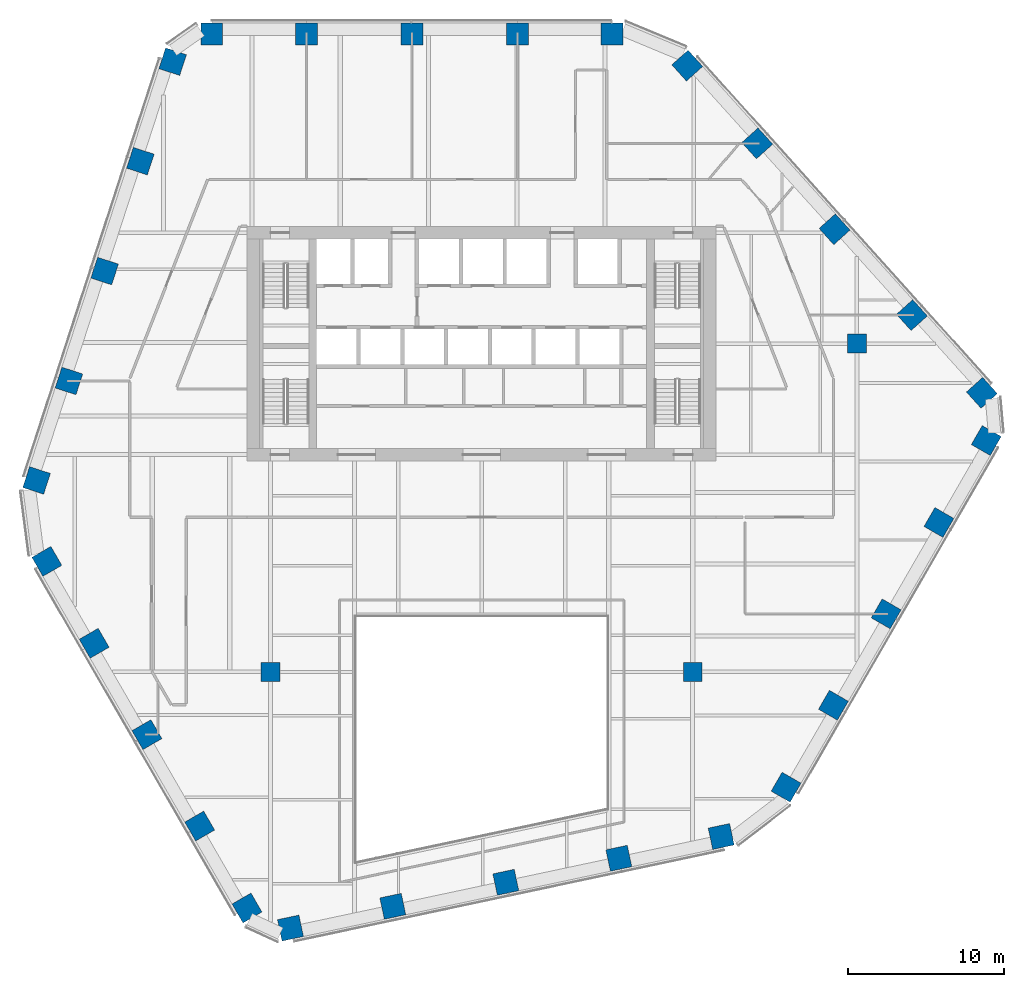
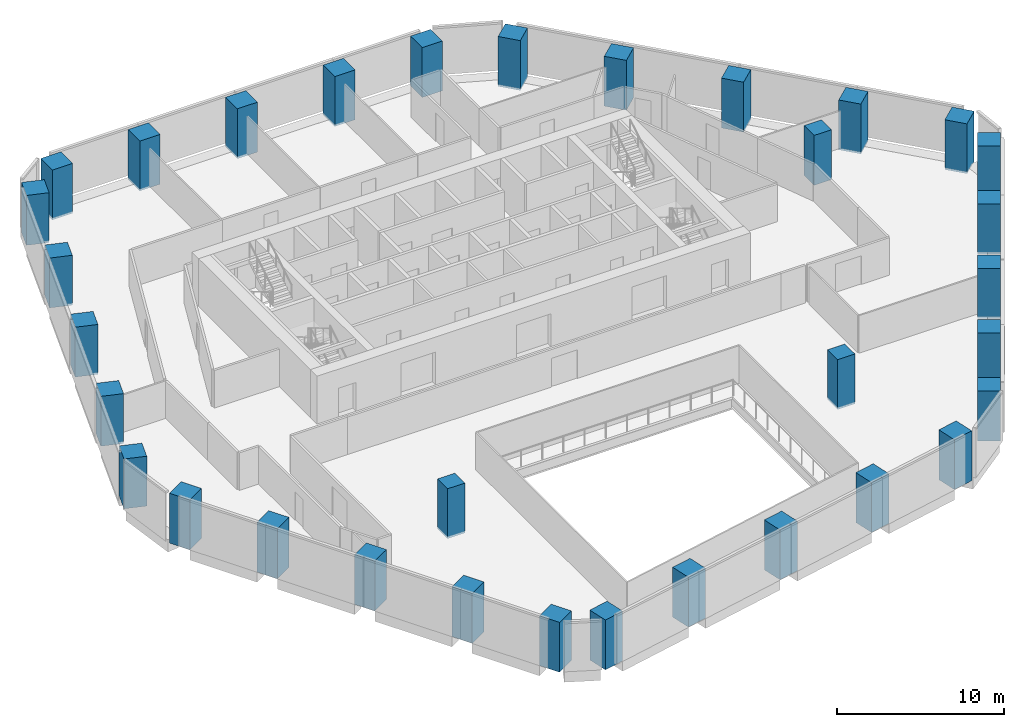
# One storey, part 1 of 16: 33 columns.
"""IFC4 building model written with IfcOpenShell, lengths in metres."""

from ifc_helpers import new_model, si_unit, direction, frame, origin, origin_2d, place, context, subcontext, project, spatial, rectangle, extrude, material, material_profile, profile_set, type_object, element, save


model = new_model("IFC4")

# Units and contexts
model_context = context("Model", 3, precision=1e-05, world=origin(), true_north=direction((0.0, 1.0)))
body_context = subcontext(model_context, "Body", "Model", "MODEL_VIEW")
ifc_project = project(units=[si_unit("LENGTHUNIT", "METRE"), si_unit("AREAUNIT", "SQUARE_METRE"), si_unit("VOLUMEUNIT", "CUBIC_METRE"), si_unit("PLANEANGLEUNIT", "RADIAN"), si_unit("MASSUNIT", "GRAM", prefix="KILO")], contexts=[model_context])

# Site, building, storey
site_placement = place(None, origin())
site = spatial("IfcSite", under=ifc_project, at=site_placement, CompositionType="ELEMENT")
building_placement = place(site_placement, origin())
building = spatial("IfcBuilding", under=site, at=building_placement, Name="Isthmus Gate Tower", CompositionType="ELEMENT")
storey_placement = place(building_placement, frame((0.0, 0.0, 133.449951171875)))
storey = spatial("IfcBuildingStorey", under=building, at=storey_placement, Name="L32", CompositionType="ELEMENT", Elevation=133.449951171875)

# Columns
ifc_material_1 = material(Name="Concrete f'c 60 MPa", Category="concrete")
ifc_material_profile_1 = material_profile(ifc_material_1, rectangle(XDim=1.199951171875, YDim=1.199951171875, at=origin_2d()), Name="RC 1200X1200")
ifc_profile_set_1 = profile_set([ifc_material_profile_1], Name="Concrete f'c 60 MPa")
column_type_1 = type_object("IfcColumnType", Name="RC INTERIOR COLUMN 1200 X 1200", PredefinedType="COLUMN", material=ifc_profile_set_1)
for number, where, z_axis, x_axis, name in (
    (1, (-13.5, -13.5, -0.14990234375), (0.0, 0.0, 1.0), (1.0, 0.0, 0.0), "str-icol-L32-ICB2"),
    (2, (13.5, -13.5, -0.14990234375), (0.0, 0.0, 1.0), (1.0, 0.0, 0.0), "str-icol-L32-ICD2"),
    (3, (24.0, 7.5, -0.14990234375), (0.0, 0.0, 1.0), (1.0, 0.0, 0.0), "str-icol-L32-ICE3"),
):
    element("IfcColumn", number, at=place(storey_placement, frame(where, z_axis=z_axis, x_axis=x_axis)), inside=storey, type_object=column_type_1, Name=name, PredefinedType="COLUMN", context=body_context, shape_type="SweptSolid", body=[
        extrude(rectangle(XDim=1.199951171875, YDim=1.199951171875, at=origin_2d()), origin(), (0.0, 0.0, 1.0), 3.64990234375),
    ])
ifc_material_2 = material(Name="Concrete f'c 60 MPa", Category="concrete")
ifc_material_profile_2 = material_profile(ifc_material_2, rectangle(XDim=1.39990234375, YDim=1.39990234375, at=origin_2d()), Name="RC 1400X1400")
ifc_profile_set_2 = profile_set([ifc_material_profile_2], Name="Concrete f'c 60 MPa")
column_type_2 = type_object("IfcColumnType", Name="RC TUBE COLUMN 1400 X 1400", PredefinedType="COLUMN", material=ifc_profile_set_2)
for number, where, z_axis, x_axis, name in (
    (4, (8.338623046875, 27.300048828125, -0.14990234375), (0.0, 0.0, 1.0), (-1.0, 0.0, 0.0), "str-tcol-L32-T2N0"),
    (5, (2.288330078125, 27.300048828125, -0.14990234375), (0.0, 0.0, 1.0), (-1.0, 0.0, 0.0), "str-tcol-L32-T2N1"),
    (6, (-4.461669921875, 27.300048828125, -0.14990234375), (0.0, 0.0, 1.0), (-1.0, 0.0, 0.0), "str-tcol-L32-T2N2"),
    (7, (-11.2119140625, 27.300048828125, -0.14990234375), (0.0, 0.0, 1.0), (-1.0, 0.0, 0.0), "str-tcol-L32-T2N3"),
    (8, (-17.261962890625, 27.300048828125, -0.14990234375), (0.0, 0.0, 1.0), (-1.0, 0.0, 0.0), "str-tcol-L32-T2N4"),
    (9, (-19.765380859375, 25.532958984375, -0.14990234375), (0.0, 0.0, 1.0), (-0.309016994375, -0.951056516295, 0.0), "str-tcol-L32-T2NW0"),
    (10, (-21.8330078125, 19.169677734375, -0.14990234375), (0.0, 0.0, 1.0), (-0.309016994375, -0.951056516295, 0.0), "str-tcol-L32-T2NW1"),
    (11, (-24.116943359375, 12.140625, -0.14990234375), (0.0, 0.0, 1.0), (-0.309016994375, -0.951056516295, 0.0), "str-tcol-L32-T2NW2"),
    (12, (-26.400634765625, 5.111328125, -0.14990234375), (0.0, 0.0, 1.0), (-0.309016994375, -0.951056516295, 0.0), "str-tcol-L32-T2NW3"),
    (13, (-28.46826171875, -1.251953125, -0.14990234375), (0.0, 0.0, 1.0), (-0.309016994375, -0.951056516295, 0.0), "str-tcol-L32-T2NW4"),
    (14, (-27.811767578125, -6.4287109375, -0.14990234375), (0.0, 0.0, 1.0), (0.5, -0.866025403784, 0.0), "str-tcol-L32-T2SW0"),
    (15, (-24.78662109375, -11.668212890625, -0.14990234375), (0.0, 0.0, 1.0), (0.5, -0.866025403784, 0.0), "str-tcol-L32-T2SW1"),
    (16, (-21.41162109375, -17.513916015625, -0.14990234375), (0.0, 0.0, 1.0), (0.5, -0.866025403784, 0.0), "str-tcol-L32-T2SW2"),
    (17, (-18.03662109375, -23.359619140625, -0.14990234375), (0.0, 0.0, 1.0), (0.5, -0.866025403784, 0.0), "str-tcol-L32-T2SW3"),
    (18, (-15.011474609375, -28.599365234375, -0.14990234375), (0.0, 0.0, 1.0), (0.5, -0.866025403784, 0.0), "str-tcol-L32-T2SW4"),
    (19, (-12.2294921875, -29.8837890625, -0.14990234375), (0.0, 0.0, 1.0), (0.978147600734, 0.207911690818, 0.0), "str-tcol-L32-T2S0"),
    (20, (-5.684814453125, -28.49267578125, -0.14990234375), (0.0, 0.0, 1.0), (0.978147600734, 0.207911690818, 0.0), "str-tcol-L32-T2S1"),
    (21, (1.54443359375, -26.9560546875, -0.14990234375), (0.0, 0.0, 1.0), (0.978147600734, 0.207911690818, 0.0), "str-tcol-L32-T2S2"),
    (22, (8.773681640625, -25.41943359375, -0.14990234375), (0.0, 0.0, 1.0), (0.978147600734, 0.207911690818, 0.0), "str-tcol-L32-T2S3"),
    (23, (15.318359375, -24.0283203125, -0.14990234375), (0.0, 0.0, 1.0), (0.978147600734, 0.207911690818, 0.0), "str-tcol-L32-T2S4"),
    (24, (19.47314453125, -20.871337890625, -0.14990234375), (0.0, 0.0, 1.0), (0.5, 0.866025403784, 0.0), "str-tcol-L32-T2SE0"),
    (25, (22.498291015625, -15.6318359375, -0.14990234375), (0.0, 0.0, 1.0), (0.5, 0.866025403784, 0.0), "str-tcol-L32-T2SE1"),
    (26, (25.873291015625, -9.7861328125, -0.14990234375), (0.0, 0.0, 1.0), (0.5, 0.866025403784, 0.0), "str-tcol-L32-T2SE2"),
    (27, (29.248291015625, -3.940185546875, -0.14990234375), (0.0, 0.0, 1.0), (0.5, 0.866025403784, 0.0), "str-tcol-L32-T2SE3"),
    (28, (32.2734375, 1.29931640625, -0.14990234375), (0.0, 0.0, 1.0), (0.5, 0.866025403784, 0.0), "str-tcol-L32-T2SE4"),
    (29, (31.994873046875, 4.350830078125, -0.14990234375), (0.0, 0.0, 1.0), (-0.669130606359, 0.743144825477, 0.0), "str-tcol-L32-T2NE0"),
    (30, (27.517822265625, 9.3232421875, -0.14990234375), (0.0, 0.0, 1.0), (-0.669130606359, 0.743144825477, 0.0), "str-tcol-L32-T2NE1"),
    (31, (22.572509765625, 14.815673828125, -0.14990234375), (0.0, 0.0, 1.0), (-0.669130606359, 0.743144825477, 0.0), "str-tcol-L32-T2NE2"),
    (32, (17.626953125, 20.30810546875, -0.14990234375), (0.0, 0.0, 1.0), (-0.669130606359, 0.743144825477, 0.0), "str-tcol-L32-T2NE3"),
    (33, (13.14990234375, 25.2802734375, -0.14990234375), (0.0, 0.0, 1.0), (-0.669130606359, 0.743144825477, 0.0), "str-tcol-L32-T2NE4"),
):
    element("IfcColumn", number, at=place(storey_placement, frame(where, z_axis=z_axis, x_axis=x_axis)), inside=storey, type_object=column_type_2, Name=name, PredefinedType="COLUMN", context=body_context, shape_type="SweptSolid", body=[
        extrude(rectangle(XDim=1.39990234375, YDim=1.39990234375, at=origin_2d()), origin(), (0.0, 0.0, 1.0), 3.64990234375),
    ])

save(model, "model.ifc")
